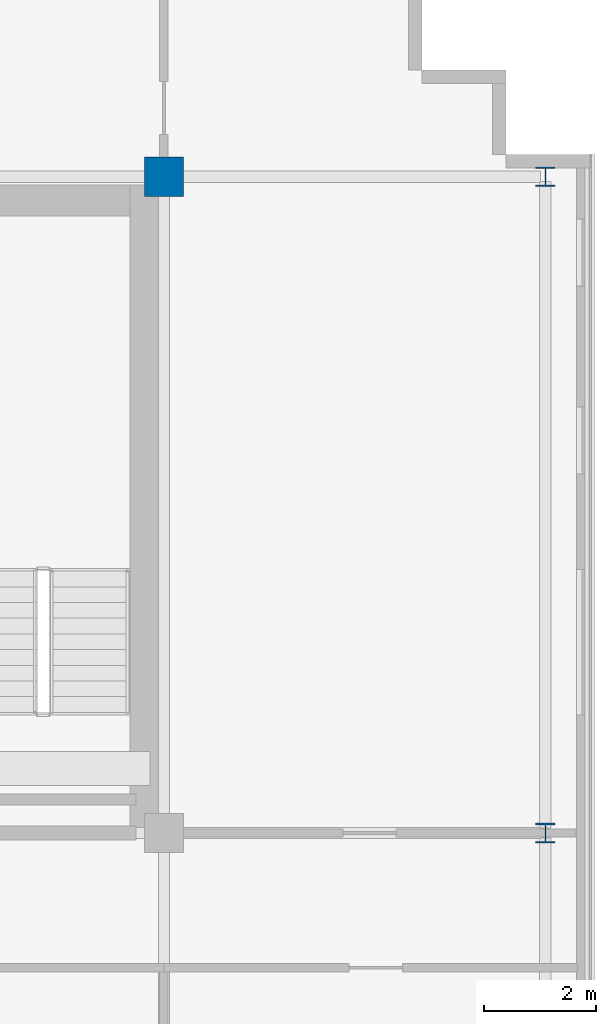
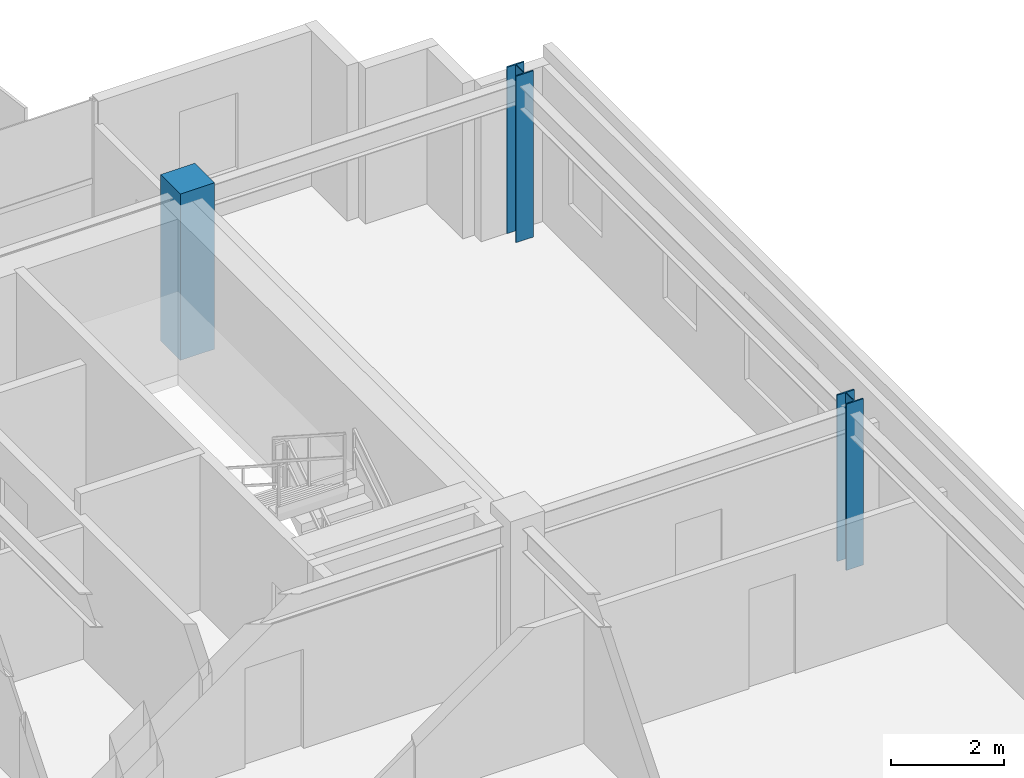
# One storey, part 4 of 23: 3 columns.
"""IFC4 building model written with IfcOpenShell, lengths in metres."""

from ifc_helpers import new_model, si_unit, direction, frame, origin, origin_2d, place, context, subcontext, project, spatial, rectangle, i_section, extrude, source, transform, mapped, material, material_profile, profile_set, type_object, element, save


model = new_model("IFC4")

# Units and contexts
model_context = context("Model", 3, precision=1e-05, world=origin(), true_north=direction((0.0, 1.0)))
body_context = subcontext(model_context, "Body", "Model", "MODEL_VIEW")
ifc_project = project(units=[si_unit("LENGTHUNIT", "METRE"), si_unit("AREAUNIT", "SQUARE_METRE"), si_unit("VOLUMEUNIT", "CUBIC_METRE"), si_unit("PLANEANGLEUNIT", "RADIAN"), si_unit("MASSUNIT", "GRAM", prefix="KILO")], contexts=[model_context])

# Site, building, storey
site_placement = place(None, origin())
site = spatial("IfcSite", under=ifc_project, at=site_placement, CompositionType="ELEMENT")
building_placement = place(site_placement, origin())
building = spatial("IfcBuilding", under=site, at=building_placement, Name="Trelvane Seafront Commons", CompositionType="ELEMENT")
storey_placement = place(building_placement, frame((0.0, 0.0, 230.10009765625)))
storey = spatial("IfcBuildingStorey", under=building, at=storey_placement, Name="L60", CompositionType="ELEMENT", Elevation=230.10009765625)

# Columns
ifc_material_1 = material(Name="Concrete C50/60", Category="concrete")
ifc_material_profile_1 = material_profile(ifc_material_1, rectangle(XDim=0.699951171875, YDim=0.699951171875, at=origin_2d()), Name="RC-700x700")
ifc_profile_set_1 = profile_set([ifc_material_profile_1], Name="Concrete C50/60")
column_type_1 = type_object("IfcColumnType", Name="STR-COL-RC700", PredefinedType="COLUMN", material=ifc_profile_set_1)
shared_shape_1 = source(origin(), body_context, "Body", "SweptSolid", [
    extrude(rectangle(XDim=0.699951171875, YDim=0.699951171875, at=origin_2d()), origin(), (0.0, 0.0, 1.0), 3.599853515625),
])
column_placement = place(storey_placement, frame((58.800048828125, 45.10009765625, 0.0), z_axis=(0.0, 0.0, 1.0), x_axis=(1.0, 0.0, 0.0)))
element("IfcColumn", 1, at=column_placement, inside=storey, type_object=column_type_1, Name="L60 Column TC-CN58.8", PredefinedType="COLUMN", context=body_context, shape_type="MappedRepresentation", body=[
    mapped(shared_shape_1, transform((0.0, 0.0, 0.0), x_axis=(1.0, 0.0, 0.0), y_axis=(0.0, 1.0, 0.0), z_axis=(0.0, 0.0, 1.0), scale=1.0)),
])
ifc_material_2 = material(Name="Steel SM355 (S355)", Category="steel")
ifc_material_profile_2 = material_profile(ifc_material_2, i_section(OverallWidth=0.35009765625, OverallDepth=0.35009765625, WebThickness=0.01806640625, FlangeThickness=0.028076171875, at=origin_2d()), Name="HD-350x350x18x28")
ifc_profile_set_2 = profile_set([ifc_material_profile_2], Name="Steel SM355 (S355)")
column_type_2 = type_object("IfcColumnType", Name="STR-COL-HD350", PredefinedType="COLUMN", material=ifc_profile_set_2)
shared_shape_2 = source(origin(), body_context, "Body", "SweptSolid", [
    extrude(i_section(OverallWidth=0.35009765625, OverallDepth=0.35009765625, WebThickness=0.01806640625, FlangeThickness=0.028076171875, at=origin_2d()), origin(), (0.0, 0.0, 1.0), 3.599853515625),
])
for number, where, z_axis, x_axis, name in (
    (2, (65.60009765625, 33.39990234375, 0.0), (0.0, 0.0, 1.0), (1.0, 0.0, 0.0), "L60 Column TC-CS65.6"),
    (3, (65.60009765625, 45.10009765625, 0.0), (0.0, 0.0, 1.0), (1.0, 0.0, 0.0), "L60 Column TC-CN65.6"),
):
    element("IfcColumn", number, at=place(storey_placement, frame(where, z_axis=z_axis, x_axis=x_axis)), inside=storey, type_object=column_type_2, Name=name, PredefinedType="COLUMN", context=body_context, shape_type="MappedRepresentation", body=[
        mapped(shared_shape_2, transform((0.0, 0.0, 0.0), x_axis=(1.0, 0.0, 0.0), y_axis=(0.0, 1.0, 0.0), z_axis=(0.0, 0.0, 1.0), scale=1.0)),
    ])

save(model, "model.ifc")
